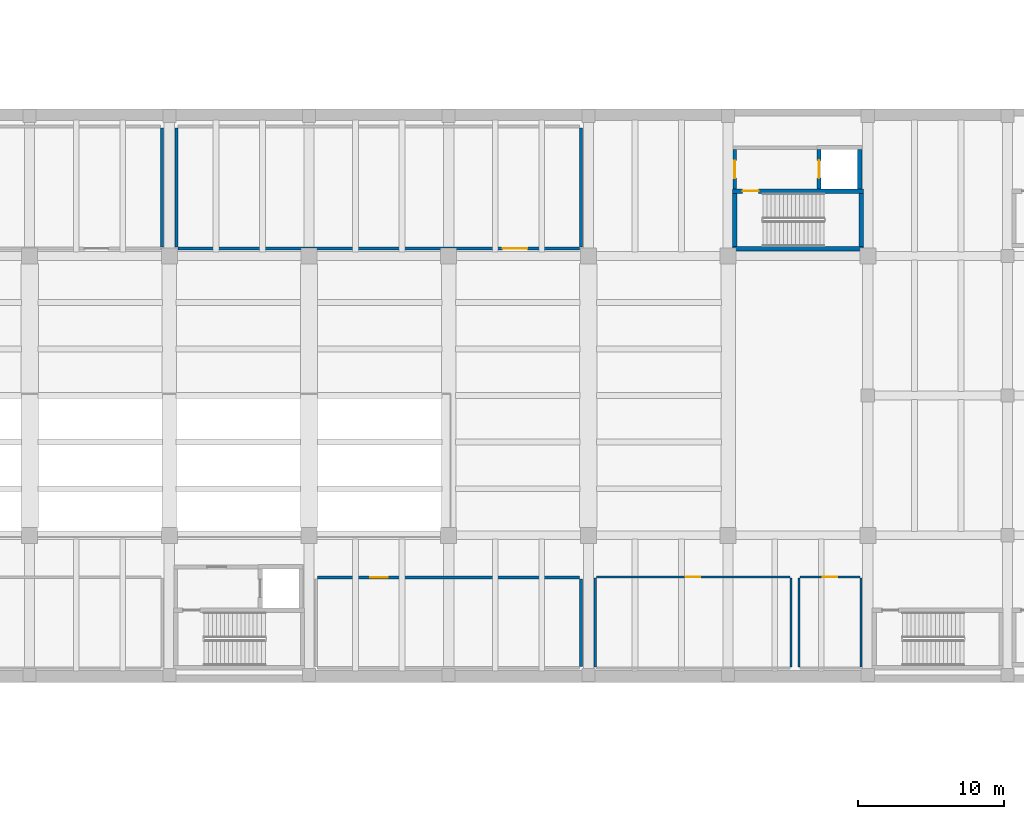
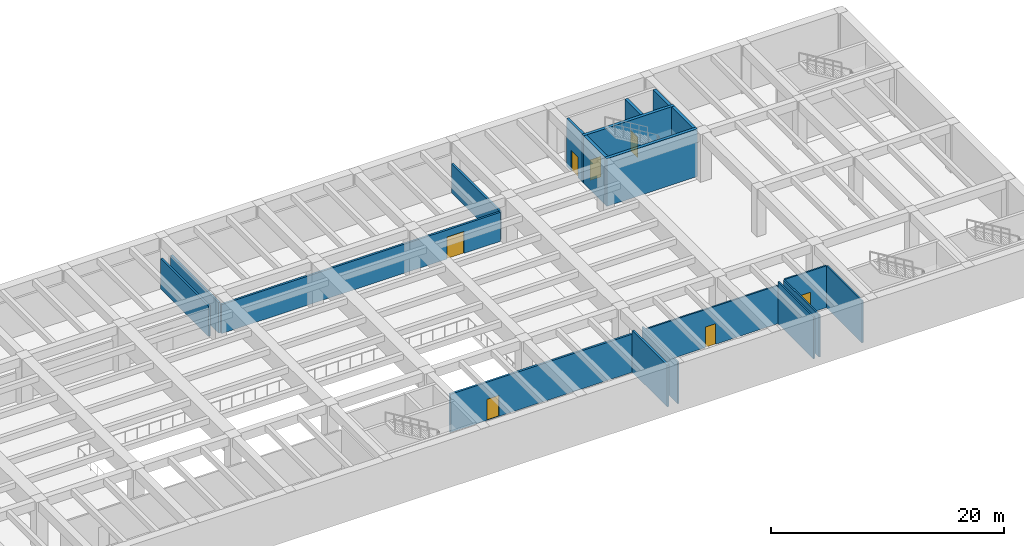
# One storey, part 7 of 19: 19 walls, 7 doors, 7 openings.
"""IFC4 building model written with IfcOpenShell, lengths in metres."""

from ifc_helpers import new_model, si_unit, direction, frame, frame_2d, origin, place, context, subcontext, project, spatial, rectangle, extrude, material, layer, layer_set, type_object, element, fill, save


model = new_model("IFC4")

# Units and contexts
model_context = context("Model", 3, precision=1e-05, world=origin(), true_north=direction((0.0, 1.0)))
body_context = subcontext(model_context, "Body", "Model", "MODEL_VIEW")
ifc_project = project(units=[si_unit("LENGTHUNIT", "METRE"), si_unit("AREAUNIT", "SQUARE_METRE"), si_unit("VOLUMEUNIT", "CUBIC_METRE"), si_unit("PLANEANGLEUNIT", "RADIAN"), si_unit("MASSUNIT", "GRAM", prefix="KILO")], contexts=[model_context])

# Site, building, storey
site_placement = place(None, origin())
site = spatial("IfcSite", under=ifc_project, at=site_placement, CompositionType="ELEMENT")
building_placement = place(site_placement, origin())
building = spatial("IfcBuilding", under=site, at=building_placement, Name="Coralgate Yard Interchange", CompositionType="ELEMENT")
storey_placement = place(building_placement, frame((0.0, 0.0, -5.39990234375)))
storey = spatial("IfcBuildingStorey", under=building, at=storey_placement, Name="B1", CompositionType="ELEMENT", Elevation=-5.39990234375)

# Wall
ifc_material_1 = material(Name="Concrete C40/50", Category="concrete")
ifc_layer_1 = layer(ifc_material_1, 0.300048828125)
ifc_layer_set_1 = layer_set([ifc_layer_1], Name="Concrete C40/50")
wall_type_1 = type_object("IfcWallType", Name="WAL-CW300", PredefinedType="SHEAR", material=ifc_layer_set_1)
wall_1_placement = place(storey_placement, frame((125.10009765625, 67.699951171875, 0.0), z_axis=(0.0, 0.0, 1.0), x_axis=(1.0, 0.0, 0.0)))
element("IfcWall", 1, at=wall_1_placement, inside=storey, type_object=wall_type_1, Name="C7 B1 stair south shear wall", PredefinedType="SHEAR", context=body_context, shape_type="SweptSolid", body=[
    extrude(rectangle(XDim=9.0, YDim=0.300048828125, at=frame_2d((4.5, 0.0))), origin(), (0.0, 0.0, 1.0), 5.0),
])

# Wall, opening, door
wall_2_placement = place(storey_placement, frame((134.10009765625, 71.64990234375, 0.0), z_axis=(0.0, 0.0, 1.0), x_axis=(-1.0, 0.0, 0.0)))
wall_2 = element("IfcWall", 2, at=wall_2_placement, inside=storey, type_object=wall_type_1, Name="C7 B1 stair north shear wall", PredefinedType="SHEAR", context=body_context, shape_type="SweptSolid", body=[
    extrude(rectangle(XDim=9.0, YDim=0.300048828125, at=frame_2d((4.5, 0.0))), origin(), (0.0, 0.0, 1.0), 5.0),
])
opening_1_placement = place(wall_2_placement, frame((7.199951171875, 0.0, 0.0)))
opening_1 = element("IfcOpeningElement", 3, at=opening_1_placement, cuts=wall_2, Name="Opening FD-1", PredefinedType="OPENING", context=body_context, shape_type="SweptSolid", body=[
    extrude(rectangle(XDim=1.10009765625, YDim=2.14990234375, at=frame_2d((0.550048828125, 1.074951171875))), frame((0.0, 0.159912109375, 0.0), z_axis=(0.0, -1.0, 0.0), x_axis=(1.0, 0.0, 0.0)), (0.0, 0.0, 1.0), 0.320068359375),
])
ifc_material_2 = material(Name="Powder-coated steel fire door assembly", Category="steel")
door_type_1 = type_object("IfcDoorType", Name="DOR-FD-1", OperationType="NOTDEFINED", PredefinedType="DOOR", material=ifc_material_2)
door_1_placement = place(opening_1_placement, frame((1.10009765625, 0.0, 0.0), z_axis=(0.0, 0.0, 1.0), x_axis=(-1.0, 0.0, 0.0)))
door_1 = element("IfcDoor", 4, at=door_1_placement, inside=storey, type_object=door_type_1, Name="C7 B1 stair fire door", OperationType="SINGLE_SWING_RIGHT", OverallHeight=2.14990234375, OverallWidth=1.10009765625, PredefinedType="DOOR", context=body_context, shape_type="SweptSolid", body=[
    extrude(rectangle(XDim=1.10009765625, YDim=2.14990234375, at=frame_2d((0.550048828125, 1.074951171875))), frame((0.0, 0.02490234375, 0.0), z_axis=(0.0, -1.0, 0.0), x_axis=(1.0, 0.0, 0.0)), (0.0, 0.0, 1.0), 0.050048828125),
])
fill(opening_1, door_1)

# Walls
for number, where, z_axis, x_axis, name in (
    (5, (125.25, 67.85009765625, 0.0), (0.0, 0.0, 1.0), (0.0, 1.0, 0.0), "C7 B1 stair west shear wall"),
    (6, (133.949951171875, 71.5, 0.0), (0.0, 0.0, 1.0), (0.0, -1.0, 0.0), "C7 B1 stair east shear wall"),
):
    element("IfcWall", number, at=place(storey_placement, frame(where, z_axis=z_axis, x_axis=x_axis)), inside=storey, type_object=wall_type_1, Name=name, PredefinedType="SHEAR", context=body_context, shape_type="SweptSolid", body=[
        extrude(rectangle(XDim=3.64990234375, YDim=0.300048828125, at=frame_2d((1.824951171875, 0.0))), origin(), (0.0, 0.0, 1.0), 5.0),
    ])

# Wall, opening, door
wall_3_placement = place(storey_placement, frame((131.050048828125, 74.5, 0.0), z_axis=(0.0, 0.0, 1.0), x_axis=(0.0, -1.0, 0.0)))
wall_3 = element("IfcWall", 7, at=wall_3_placement, inside=storey, type_object=wall_type_1, Name="C7 B1 lift front shear wall", PredefinedType="SHEAR", context=body_context, shape_type="SweptSolid", body=[
    extrude(rectangle(XDim=2.699951171875, YDim=0.300048828125, at=frame_2d((1.35009765625, 0.0))), origin(), (0.0, 0.0, 1.0), 5.0),
])
opening_2_placement = place(wall_3_placement, frame((0.739990234375, 0.0, 0.0)))
opening_2 = element("IfcOpeningElement", 8, at=opening_2_placement, cuts=wall_3, Name="Opening LD-3", PredefinedType="OPENING", context=body_context, shape_type="SweptSolid", body=[
    extrude(rectangle(XDim=1.219970703125, YDim=2.14990234375, at=frame_2d((0.60986328125, 1.074951171875))), frame((0.0, 0.159912109375, 0.0), z_axis=(0.0, -1.0, 0.0), x_axis=(1.0, 0.0, 0.0)), (0.0, 0.0, 1.0), 0.320068359375),
])
ifc_material_3 = material(Name="Brushed stainless steel concourse lift landing door", Category="steel")
door_type_2 = type_object("IfcDoorType", Name="DOR-LD-3", OperationType="DOUBLE_DOOR_SLIDING", PredefinedType="DOOR", material=ifc_material_3)
door_2_placement = place(opening_2_placement, frame((1.219970703125, 0.0, 0.0), z_axis=(0.0, 0.0, 1.0), x_axis=(-1.0, 0.0, 0.0)))
door_2 = element("IfcDoor", 9, at=door_2_placement, inside=storey, type_object=door_type_2, Name="LF-05 B1 sliding lift landing door", OperationType="DOUBLE_DOOR_SLIDING", OverallHeight=2.14990234375, OverallWidth=1.219970703125, PredefinedType="DOOR", context=body_context, shape_type="SweptSolid", body=[
    extrude(rectangle(XDim=1.219970703125, YDim=2.14990234375, at=frame_2d((0.60986328125, 1.074951171875))), frame((0.0, 0.02490234375, 0.0), z_axis=(0.0, -1.0, 0.0), x_axis=(1.0, 0.0, 0.0)), (0.0, 0.0, 1.0), 0.050048828125),
])
fill(opening_2, door_2)

# Wall
wall_4_placement = place(storey_placement, frame((133.85009765625, 71.800048828125, 0.0), z_axis=(0.0, 0.0, 1.0), x_axis=(0.0, 1.0, 0.0)))
element("IfcWall", 10, at=wall_4_placement, inside=storey, type_object=wall_type_1, Name="C7 B1 lift rear shear wall", PredefinedType="SHEAR", context=body_context, shape_type="SweptSolid", body=[
    extrude(rectangle(XDim=2.699951171875, YDim=0.300048828125, at=frame_2d((1.35009765625, 0.0))), origin(), (0.0, 0.0, 1.0), 5.0),
])

# Wall, opening, door
ifc_material_4 = material(Name="Moisture-resistant masonry washroom wall", Category="masonry")
ifc_layer_2 = layer(ifc_material_4, 0.14990234375)
ifc_layer_set_2 = layer_set([ifc_layer_2], Name="Moisture-resistant masonry washroom wall")
wall_type_2 = type_object("IfcWallType", Name="WAL-PW-150", PredefinedType="PLUMBINGWALL", material=ifc_layer_set_2)
wall_5_placement = place(storey_placement, frame((115.75, 45.125, 0.0), z_axis=(0.0, 0.0, 1.0), x_axis=(1.0, 0.0, 0.0)))
wall_5 = element("IfcWall", 11, at=wall_5_placement, inside=storey, type_object=wall_type_2, Name="B1 Public Washrooms partition N", PredefinedType="PLUMBINGWALL", context=body_context, shape_type="SweptSolid", body=[
    extrude(rectangle(XDim=13.300048828125, YDim=0.14990234375, at=frame_2d((6.64990234375, 0.0))), origin(), (0.0, 0.0, 1.0), 3.989990234375),
])
opening_3_placement = place(wall_5_placement, frame((6.14990234375, 0.0, 0.0)))
opening_3 = element("IfcOpeningElement", 12, at=opening_3_placement, cuts=wall_5, Name="Opening ID-02", PredefinedType="OPENING", context=body_context, shape_type="SweptSolid", body=[
    extrude(rectangle(XDim=1.0, YDim=2.14990234375, at=frame_2d((0.5, 1.074951171875))), frame((0.0, 0.0849609375, 0.0), z_axis=(0.0, -1.0, 0.0), x_axis=(1.0, 0.0, 0.0)), (0.0, 0.0, 1.0), 0.169921875),
])
ifc_material_5 = material(Name="Accessible wide-leaf washroom and office door")
door_type_3 = type_object("IfcDoorType", Name="DOR-ID-02", OperationType="NOTDEFINED", PredefinedType="DOOR", material=ifc_material_5)
door_3_placement = place(opening_3_placement, frame((1.0, 0.0, 0.0), z_axis=(0.0, 0.0, 1.0), x_axis=(-1.0, 0.0, 0.0)))
door_3 = element("IfcDoor", 13, at=door_3_placement, inside=storey, type_object=door_type_3, Name="B1 Public Washrooms door", OperationType="SINGLE_SWING_RIGHT", OverallHeight=2.14990234375, OverallWidth=1.0, PredefinedType="DOOR", context=body_context, shape_type="SweptSolid", body=[
    extrude(rectangle(XDim=1.0, YDim=2.14990234375, at=frame_2d((0.5, 1.074951171875))), frame((0.0, 0.02490234375, 0.0), z_axis=(0.0, -1.0, 0.0), x_axis=(1.0, 0.0, 0.0)), (0.0, 0.0, 1.0), 0.050048828125),
])
fill(opening_3, door_3)

# Walls
for number, where, z_axis, x_axis, name in (
    (14, (115.675048828125, 38.949951171875, 0.0), (0.0, 0.0, 1.0), (0.0, 1.0, 0.0), "B1 Public Washrooms partition W"),
    (15, (129.125, 45.050048828125, 0.0), (0.0, 0.0, 1.0), (0.0, -1.0, 0.0), "B1 Public Washrooms partition E"),
):
    element("IfcWall", number, at=place(storey_placement, frame(where, z_axis=z_axis, x_axis=x_axis)), inside=storey, type_object=wall_type_2, Name=name, PredefinedType="PLUMBINGWALL", context=body_context, shape_type="SweptSolid", body=[
        extrude(rectangle(XDim=6.10009765625, YDim=0.14990234375, at=frame_2d((3.050048828125, 0.0))), origin(), (0.0, 0.0, 1.0), 4.3798828125),
    ])

# Wall, opening, door
wall_6_placement = place(storey_placement, frame((129.75, 45.125, 0.0), z_axis=(0.0, 0.0, 1.0), x_axis=(1.0, 0.0, 0.0)))
wall_6 = element("IfcWall", 16, at=wall_6_placement, inside=storey, type_object=wall_type_2, Name="B1 Accessible WC partition N", PredefinedType="PLUMBINGWALL", context=body_context, shape_type="SweptSolid", body=[
    extrude(rectangle(XDim=4.10009765625, YDim=0.14990234375, at=frame_2d((2.050048828125, 0.0))), origin(), (0.0, 0.0, 1.0), 4.3798828125),
])
opening_4_placement = place(wall_6_placement, frame((1.550048828125, 0.0, 0.0)))
opening_4 = element("IfcOpeningElement", 17, at=opening_4_placement, cuts=wall_6, Name="Opening ID-02", PredefinedType="OPENING", context=body_context, shape_type="SweptSolid", body=[
    extrude(rectangle(XDim=1.0, YDim=2.14990234375, at=frame_2d((0.5, 1.074951171875))), frame((0.0, 0.0849609375, 0.0), z_axis=(0.0, -1.0, 0.0), x_axis=(1.0, 0.0, 0.0)), (0.0, 0.0, 1.0), 0.169921875),
])
door_4_placement = place(opening_4_placement, frame((1.0, 0.0, 0.0), z_axis=(0.0, 0.0, 1.0), x_axis=(-1.0, 0.0, 0.0)))
door_4 = element("IfcDoor", 18, at=door_4_placement, inside=storey, type_object=door_type_3, Name="B1 Accessible WC door", OperationType="SINGLE_SWING_LEFT", OverallHeight=2.14990234375, OverallWidth=1.0, PredefinedType="DOOR", context=body_context, shape_type="SweptSolid", body=[
    extrude(rectangle(XDim=1.0, YDim=2.14990234375, at=frame_2d((0.5, 1.074951171875))), frame((0.0, 0.02490234375, 0.0), z_axis=(0.0, -1.0, 0.0), x_axis=(1.0, 0.0, 0.0)), (0.0, 0.0, 1.0), 0.050048828125),
])
fill(opening_4, door_4)

# Walls
for number, where, z_axis, x_axis, name in (
    (19, (129.675048828125, 38.949951171875, 0.0), (0.0, 0.0, 1.0), (0.0, 1.0, 0.0), "B1 Accessible WC partition W"),
    (20, (133.925048828125, 45.050048828125, 0.0), (0.0, 0.0, 1.0), (0.0, -1.0, 0.0), "B1 Accessible WC partition E"),
):
    element("IfcWall", number, at=place(storey_placement, frame(where, z_axis=z_axis, x_axis=x_axis)), inside=storey, type_object=wall_type_2, Name=name, PredefinedType="PLUMBINGWALL", context=body_context, shape_type="SweptSolid", body=[
        extrude(rectangle(XDim=6.10009765625, YDim=0.14990234375, at=frame_2d((3.050048828125, 0.0))), origin(), (0.0, 0.0, 1.0), 4.3798828125),
    ])
ifc_material_6 = material(Name="Concrete blockwork masonry", Category="masonry")
ifc_layer_3 = layer(ifc_material_6, 0.199951171875)
ifc_layer_set_3 = layer_set([ifc_layer_3], Name="Concrete blockwork masonry")
wall_type_3 = type_object("IfcWallType", Name="WAL-PW-200", PredefinedType="PARTITIONING", material=ifc_layer_set_3)
wall_7_placement = place(storey_placement, frame((85.89990234375, 76.0, 0.0), z_axis=(0.0, 0.0, 1.0), x_axis=(0.0, -1.0, 0.0)))
element("IfcWall", 21, at=wall_7_placement, inside=storey, type_object=wall_type_3, Name="11 kV High-Voltage Switchgear Room partition E", PredefinedType="PARTITIONING", context=body_context, shape_type="SweptSolid", body=[
    extrude(rectangle(XDim=8.199951171875, YDim=0.199951171875, at=frame_2d((4.10009765625, 0.0))), origin(), (0.0, 0.0, 1.0), 3.18994140625),
])

# Wall, opening, door
wall_8_placement = place(storey_placement, frame((114.60009765625, 67.699951171875, 0.0), z_axis=(0.0, 0.0, 1.0), x_axis=(-1.0, 0.0, 0.0)))
wall_8 = element("IfcWall", 22, at=wall_8_placement, inside=storey, type_object=wall_type_3, Name="Tunnel Ventilation Exhaust Plant partition S", PredefinedType="PARTITIONING", context=body_context, shape_type="SweptSolid", body=[
    extrude(rectangle(XDim=27.60009765625, YDim=0.199951171875, at=frame_2d((13.800048828125, 0.0))), origin(), (0.0, 0.0, 1.0), 3.039794921875),
])
opening_5_placement = place(wall_8_placement, frame((3.60009765625, 0.0, 0.0)))
opening_5 = element("IfcOpeningElement", 23, at=opening_5_placement, cuts=wall_8, Name="Opening ID-20", PredefinedType="OPENING", context=body_context, shape_type="SweptSolid", body=[
    extrude(rectangle(XDim=1.699951171875, YDim=2.300048828125, at=frame_2d((0.85009765625, 1.14990234375))), frame((0.0, 0.10986328125, 0.0), z_axis=(0.0, -1.0, 0.0), x_axis=(1.0, 0.0, 0.0)), (0.0, 0.0, 1.0), 0.219970703125),
])
ifc_material_7 = material(Name="Heavy plant room double fire door")
door_type_4 = type_object("IfcDoorType", Name="DOR-ID-20", OperationType="NOTDEFINED", PredefinedType="DOOR", material=ifc_material_7)
door_5_placement = place(opening_5_placement, origin())
door_5 = element("IfcDoor", 24, at=door_5_placement, inside=storey, type_object=door_type_4, Name="Tunnel Ventilation Exhaust Plant door", OperationType="DOUBLE_DOOR_SINGLE_SWING", OverallHeight=2.300048828125, OverallWidth=1.699951171875, PredefinedType="DOOR", context=body_context, shape_type="SweptSolid", body=[
    extrude(rectangle(XDim=1.699951171875, YDim=2.300048828125, at=frame_2d((0.85009765625, 1.14990234375))), frame((0.0, 0.02490234375, 0.0), z_axis=(0.0, -1.0, 0.0), x_axis=(1.0, 0.0, 0.0)), (0.0, 0.0, 1.0), 0.050048828125),
])
fill(opening_5, door_5)

# Walls
wall_9_placement = place(storey_placement, frame((86.89990234375, 67.800048828125, 0.0), z_axis=(0.0, 0.0, 1.0), x_axis=(0.0, 1.0, 0.0)))
element("IfcWall", 25, at=wall_9_placement, inside=storey, type_object=wall_type_3, Name="Tunnel Ventilation Exhaust Plant partition W", PredefinedType="PARTITIONING", context=body_context, shape_type="SweptSolid", body=[
    extrude(rectangle(XDim=8.199951171875, YDim=0.199951171875, at=frame_2d((4.10009765625, 0.0))), origin(), (0.0, 0.0, 1.0), 3.18994140625),
])
wall_10_placement = place(storey_placement, frame((114.699951171875, 76.0, 0.0), z_axis=(0.0, 0.0, 1.0), x_axis=(0.0, -1.0, 0.0)))
element("IfcWall", 26, at=wall_10_placement, inside=storey, type_object=wall_type_3, Name="Tunnel Ventilation Exhaust Plant partition E", PredefinedType="PARTITIONING", context=body_context, shape_type="SweptSolid", body=[
    extrude(rectangle(XDim=8.199951171875, YDim=0.199951171875, at=frame_2d((4.10009765625, 0.0))), origin(), (0.0, 0.0, 1.0), 3.039794921875),
])

# Wall, opening, door
wall_11_placement = place(storey_placement, frame((96.60009765625, 45.10009765625, 0.0), z_axis=(0.0, 0.0, 1.0), x_axis=(1.0, 0.0, 0.0)))
wall_11 = element("IfcWall", 27, at=wall_11_placement, inside=storey, type_object=wall_type_3, Name="Station Maintenance Store partition N", PredefinedType="PARTITIONING", context=body_context, shape_type="SweptSolid", body=[
    extrude(rectangle(XDim=18.0, YDim=0.199951171875, at=frame_2d((9.0, 0.0))), origin(), (0.0, 0.0, 1.0), 3.989990234375),
])
opening_6_placement = place(wall_11_placement, frame((3.60009765625, 0.0, 0.0)))
opening_6 = element("IfcOpeningElement", 28, at=opening_6_placement, cuts=wall_11, Name="Opening ID-05", PredefinedType="OPENING", context=body_context, shape_type="SweptSolid", body=[
    extrude(rectangle(XDim=1.199951171875, YDim=2.199951171875, at=frame_2d((0.60009765625, 1.10009765625))), frame((0.0, 0.10986328125, 0.0), z_axis=(0.0, -1.0, 0.0), x_axis=(1.0, 0.0, 0.0)), (0.0, 0.0, 1.0), 0.219970703125),
])
ifc_material_8 = material(Name="Powder-coated steel plant and store fire door", Category="steel")
door_type_5 = type_object("IfcDoorType", Name="DOR-ID-05", OperationType="NOTDEFINED", PredefinedType="DOOR", material=ifc_material_8)
door_6_placement = place(opening_6_placement, frame((1.199951171875, 0.0, 0.0), z_axis=(0.0, 0.0, 1.0), x_axis=(-1.0, 0.0, 0.0)))
door_6 = element("IfcDoor", 29, at=door_6_placement, inside=storey, type_object=door_type_5, Name="Station Maintenance Store door", OperationType="SINGLE_SWING_LEFT", OverallHeight=2.199951171875, OverallWidth=1.199951171875, PredefinedType="DOOR", context=body_context, shape_type="SweptSolid", body=[
    extrude(rectangle(XDim=1.199951171875, YDim=2.199951171875, at=frame_2d((0.60009765625, 1.10009765625))), frame((0.0, 0.02490234375, 0.0), z_axis=(0.0, -1.0, 0.0), x_axis=(1.0, 0.0, 0.0)), (0.0, 0.0, 1.0), 0.050048828125),
])
fill(opening_6, door_6)

# Wall
wall_12_placement = place(storey_placement, frame((114.699951171875, 45.0, 0.0), z_axis=(0.0, 0.0, 1.0), x_axis=(0.0, -1.0, 0.0)))
element("IfcWall", 30, at=wall_12_placement, inside=storey, type_object=wall_type_3, Name="Station Maintenance Store partition E", PredefinedType="PARTITIONING", context=body_context, shape_type="SweptSolid", body=[
    extrude(rectangle(XDim=6.0, YDim=0.199951171875, at=frame_2d((3.0, 0.0))), origin(), (0.0, 0.0, 1.0), 4.3798828125),
])

# Wall, opening, door
ifc_layer_4 = layer(ifc_material_1, 0.25)
ifc_layer_set_4 = layer_set([ifc_layer_4], Name="Concrete C40/50")
wall_type_4 = type_object("IfcWallType", Name="WAL-SW250", PredefinedType="SHEAR", material=ifc_layer_set_4)
wall_13_placement = place(storey_placement, frame((125.25, 71.800048828125, 0.0), z_axis=(0.0, 0.0, 1.0), x_axis=(0.0, 1.0, 0.0)))
wall_13 = element("IfcWall", 31, at=wall_13_placement, inside=storey, type_object=wall_type_4, Name="C7 B1 lobby west fire wall", PredefinedType="SHEAR", context=body_context, shape_type="SweptSolid", body=[
    extrude(rectangle(XDim=2.699951171875, YDim=0.25, at=frame_2d((1.35009765625, 0.0))), origin(), (0.0, 0.0, 1.0), 5.0),
])
opening_7_placement = place(wall_13_placement, frame((0.75, 0.0, 0.0)))
opening_7 = element("IfcOpeningElement", 32, at=opening_7_placement, cuts=wall_13, Name="Opening FD-2", PredefinedType="OPENING", context=body_context, shape_type="SweptSolid", body=[
    extrude(rectangle(XDim=1.199951171875, YDim=2.14990234375, at=frame_2d((0.60009765625, 1.074951171875))), frame((0.0, 0.135009765625, 0.0), z_axis=(0.0, -1.0, 0.0), x_axis=(1.0, 0.0, 0.0)), (0.0, 0.0, 1.0), 0.27001953125),
])
door_type_6 = type_object("IfcDoorType", Name="DOR-FD-2", OperationType="NOTDEFINED", PredefinedType="DOOR", material=ifc_material_2)
door_7_placement = place(opening_7_placement, frame((1.199951171875, 0.0, 0.0), z_axis=(0.0, 0.0, 1.0), x_axis=(-1.0, 0.0, 0.0)))
door_7 = element("IfcDoor", 33, at=door_7_placement, inside=storey, type_object=door_type_6, Name="C7 B1 lobby fire door", OperationType="SINGLE_SWING_LEFT", OverallHeight=2.14990234375, OverallWidth=1.199951171875, PredefinedType="DOOR", context=body_context, shape_type="SweptSolid", body=[
    extrude(rectangle(XDim=1.199951171875, YDim=2.14990234375, at=frame_2d((0.60009765625, 1.074951171875))), frame((0.0, 0.02490234375, 0.0), z_axis=(0.0, -1.0, 0.0), x_axis=(1.0, 0.0, 0.0)), (0.0, 0.0, 1.0), 0.050048828125),
])
fill(opening_7, door_7)

save(model, "model.ifc")
